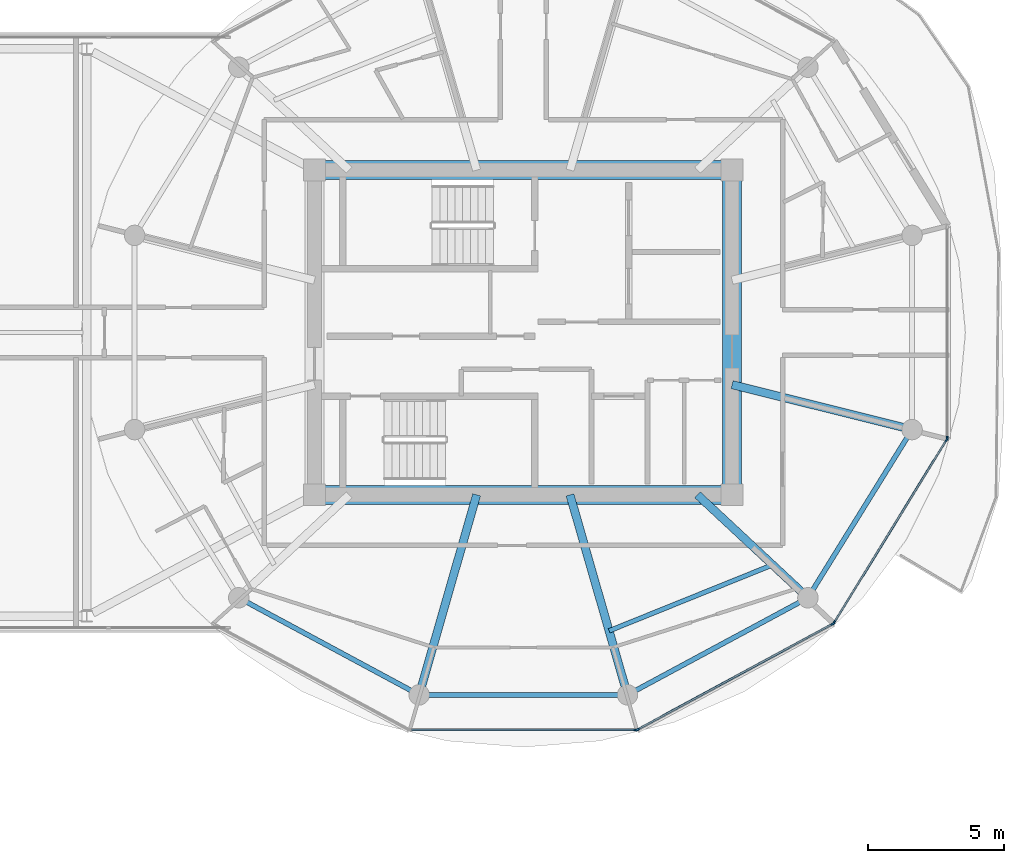
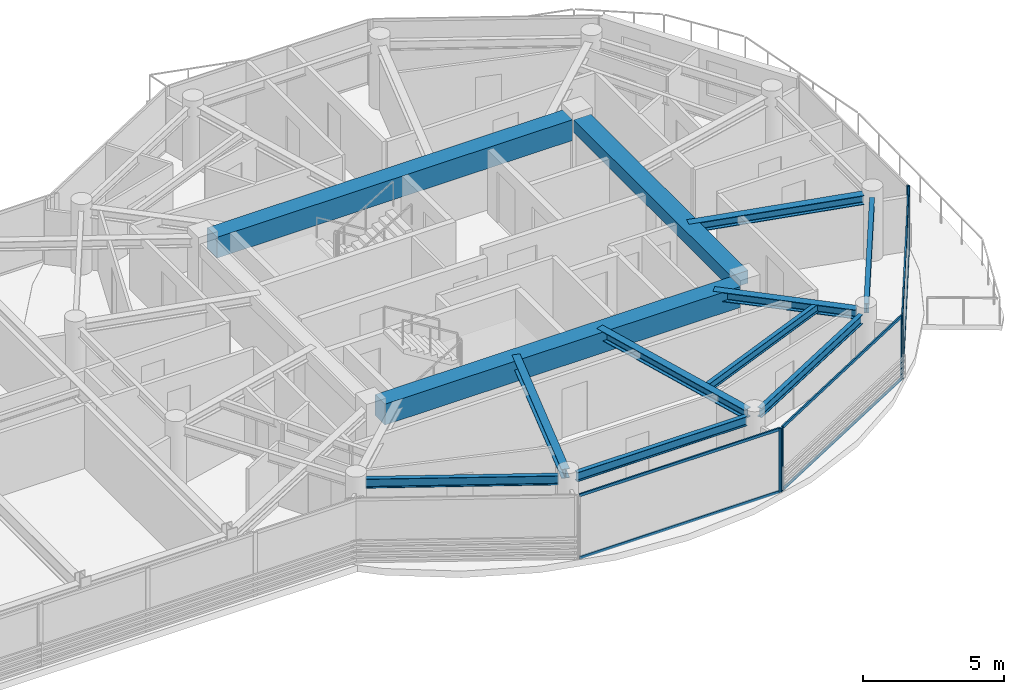
# One storey, part 9 of 24: 12 beams, 12 members, 4 elements without a shape of their own.
"""IFC4 building model written with IfcOpenShell, lengths in metres."""

from ifc_helpers import new_model, si_unit, direction, frame, origin, origin_2d, place, context, subcontext, project, spatial, rectangle, i_section, extrude, source, transform, mapped, material, layer, layer_set, material_profile, profile_set, type_object, type_shapes, element, aggregate, save


model = new_model("IFC4")

# Units and contexts
model_context = context("Model", 3, precision=1e-05, world=origin(), true_north=direction((0.0, 1.0)))
body_context = subcontext(model_context, "Body", "Model", "MODEL_VIEW")
ifc_project = project(units=[si_unit("LENGTHUNIT", "METRE"), si_unit("AREAUNIT", "SQUARE_METRE"), si_unit("VOLUMEUNIT", "CUBIC_METRE"), si_unit("PLANEANGLEUNIT", "RADIAN"), si_unit("MASSUNIT", "GRAM", prefix="KILO")], contexts=[model_context])

# Site, building, storey
site_placement = place(None, origin())
site = spatial("IfcSite", under=ifc_project, at=site_placement, CompositionType="ELEMENT")
building_placement = place(site_placement, origin())
building = spatial("IfcBuilding", under=site, at=building_placement, Name="Norrkilde Senior Care Towers", CompositionType="ELEMENT")
storey_placement = place(building_placement, frame((0.0, 0.0, 223.050048828125)))
storey = spatial("IfcBuildingStorey", under=building, at=storey_placement, Name="L69", CompositionType="ELEMENT", Elevation=223.050048828125)

# Beams
ifc_material_1 = material(Name="Concrete C60/75", Category="concrete")
ifc_material_profile_1 = material_profile(ifc_material_1, rectangle(XDim=0.699951171875, YDim=0.89990234375, at=origin_2d()), Name="RC BM 700x900")
ifc_profile_set_1 = profile_set([ifc_material_profile_1], Name="Concrete C60/75")
beam_type_1 = type_object("IfcBeamType", Name="Core Coupling Girder 700x900", PredefinedType="USERDEFINED", material=ifc_profile_set_1)
shared_shape_1 = source(origin(), body_context, "Body", "SweptSolid", [
    extrude(rectangle(XDim=0.699951171875, YDim=0.89990234375, at=origin_2d()), origin(), (0.0, 0.0, 1.0), 14.5400390625),
])
type_shapes(beam_type_1, [shared_shape_1])
for number, where, z_axis, x_axis, name in (
    (1, (20.72998046875, 5.949951171875, 2.31005859375), (1.0, 0.0, 0.0), (0.0, 1.0, 0.0), "L69 Core E N Coupling Girder"),
    (2, (20.72998046875, -5.949951171875, 2.31005859375), (1.0, 0.0, 0.0), (0.0, 1.0, 0.0), "L69 Core E S Coupling Girder"),
):
    element("IfcBeam", number, at=place(storey_placement, frame(where, z_axis=z_axis, x_axis=x_axis)), inside=storey, type_object=beam_type_1, Name=name, ObjectType="GIRDER", PredefinedType="USERDEFINED", context=body_context, shape_type="MappedRepresentation", body=[
        mapped(shared_shape_1, transform((0.0, 0.0, 0.0), x_axis=(1.0, 0.0, 0.0), y_axis=(0.0, 1.0, 0.0), z_axis=(0.0, 0.0, 1.0), scale=1.0)),
    ])
ifc_material_profile_2 = material_profile(ifc_material_1, rectangle(XDim=0.699951171875, YDim=0.550048828125, at=origin_2d()), Name="RC BM 700x550")
ifc_profile_set_2 = profile_set([ifc_material_profile_2], Name="Concrete C60/75")
beam_type_2 = type_object("IfcBeamType", Name="Core Portal Coupling Beam 700x550", PredefinedType="USERDEFINED", material=ifc_profile_set_2)
shared_shape_2 = source(origin(), body_context, "Body", "SweptSolid", [
    extrude(rectangle(XDim=0.699951171875, YDim=0.550048828125, at=origin_2d()), origin(), (0.0, 0.0, 1.0), 11.14013671875),
])
type_shapes(beam_type_2, [shared_shape_2])
beam_1_placement = place(storey_placement, frame((35.64990234375, -5.570068359375, 2.48486328125), z_axis=(0.0, 1.0, 0.0), x_axis=(-1.0, 0.0, 0.0)))
element("IfcBeam", 3, at=beam_1_placement, inside=storey, type_object=beam_type_2, Name="L69 Core E E Coupling Girder", ObjectType="GIRDER", PredefinedType="USERDEFINED", context=body_context, shape_type="MappedRepresentation", body=[
    mapped(shared_shape_2, transform((0.0, 0.0, 0.0), x_axis=(1.0, 0.0, 0.0), y_axis=(0.0, 1.0, 0.0), z_axis=(0.0, 0.0, 1.0), scale=1.0)),
])
ifc_material_2 = material(Name="Steel S355", Category="steel")
ifc_material_profile_3 = material_profile(ifc_material_2, i_section(OverallWidth=0.179931640625, OverallDepth=0.39990234375, WebThickness=0.008544921875, FlangeThickness=0.013427734375, FilletRadius=0.02099609375, at=origin_2d()), Name="IPE 400")
ifc_profile_set_3 = profile_set([ifc_material_profile_3], Name="Steel S355")
beam_type_3 = type_object("IfcBeamType", Name="Perimeter Ring Spandrel Z4 IPE400", PredefinedType="SPANDREL", material=ifc_profile_set_3)
shared_shape_3 = source(origin(), body_context, "Body", "SweptSolid", [
    extrude(i_section(OverallWidth=0.179931640625, OverallDepth=0.39990234375, WebThickness=0.008544921875, FlangeThickness=0.013427734375, FilletRadius=0.02099609375, at=origin_2d()), origin(), (0.0, 0.0, 1.0), 6.58056640625),
])
beam_2_placement = place(storey_placement, frame((38.606201171875, -9.43798828125, 2.56005859375), z_axis=(0.526529583789, 0.850156807533, 0.0), x_axis=(-0.850156807533, 0.526529583789, 0.0)))
element("IfcBeam", 4, at=beam_2_placement, inside=storey, type_object=beam_type_3, Name="L69 Drum E Perimeter Spandrel 11", PredefinedType="SPANDREL", context=body_context, shape_type="MappedRepresentation", body=[
    mapped(shared_shape_3, transform((0.0, 0.0, 0.0), x_axis=(1.0, 0.0, 0.0), y_axis=(0.0, 1.0, 0.0), z_axis=(0.0, 0.0, 1.0), scale=1.0)),
])
ifc_material_profile_4 = material_profile(ifc_material_2, i_section(OverallWidth=0.300048828125, OverallDepth=0.39990234375, WebThickness=0.013427734375, FlangeThickness=0.02392578125, FilletRadius=0.027099609375, at=origin_2d()), Name="HEB 400")
ifc_profile_set_4 = profile_set([ifc_material_profile_4], Name="Steel S355")
beam_type_4 = type_object("IfcBeamType", Name="Radial Floor Beam Z4 HEB400", PredefinedType="BEAM", material=ifc_profile_set_4)
shared_shape_4 = source(origin(), body_context, "Body", "SweptSolid", [
    extrude(i_section(OverallWidth=0.300048828125, OverallDepth=0.39990234375, WebThickness=0.013427734375, FlangeThickness=0.02392578125, FilletRadius=0.027099609375, at=origin_2d()), origin(), (0.0, 0.0, 1.0), 6.465087890625),
])
beam_3_placement = place(storey_placement, frame((35.64990234375, -1.910888671875, 2.56005859375), z_axis=(0.970195788563, -0.242322371758, 0.0), x_axis=(0.242322371758, 0.970195788563, 0.0)))
element("IfcBeam", 5, at=beam_3_placement, inside=storey, type_object=beam_type_4, Name="L69 Drum E Radial Floor Beam 12", PredefinedType="BEAM", context=body_context, shape_type="MappedRepresentation", body=[
    mapped(shared_shape_4, transform((0.0, 0.0, 0.0), x_axis=(1.0, 0.0, 0.0), y_axis=(0.0, 1.0, 0.0), z_axis=(0.0, 0.0, 1.0), scale=1.0)),
])
shared_shape_5 = source(origin(), body_context, "Body", "SweptSolid", [
    extrude(i_section(OverallWidth=0.179931640625, OverallDepth=0.39990234375, WebThickness=0.008544921875, FlangeThickness=0.013427734375, FilletRadius=0.02099609375, at=origin_2d()), origin(), (0.0, 0.0, 1.0), 6.839111328125),
])
for number, where, z_axis, x_axis, name in (
    (6, (17.865234375, -9.881591796875, 2.56005859375), (0.880563930732, -0.473927382511, 0.0), (0.473927382511, 0.880563930732, 0.0), "L69 Drum E Perimeter Spandrel 08"),
    (7, (32.112548828125, -13.122802734375, 2.56005859375), (0.880563930732, 0.473927382511, 0.0), (-0.473927382511, 0.880563930732, 0.0), "L69 Drum E Perimeter Spandrel 10"),
):
    element("IfcBeam", number, at=place(storey_placement, frame(where, z_axis=z_axis, x_axis=x_axis)), inside=storey, type_object=beam_type_3, Name=name, PredefinedType="SPANDREL", context=body_context, shape_type="MappedRepresentation", body=[
        mapped(shared_shape_5, transform((0.0, 0.0, 0.0), x_axis=(1.0, 0.0, 0.0), y_axis=(0.0, 1.0, 0.0), z_axis=(0.0, 0.0, 1.0), scale=1.0)),
    ])
shared_shape_6 = source(origin(), body_context, "Body", "SweptSolid", [
    extrude(i_section(OverallWidth=0.300048828125, OverallDepth=0.39990234375, WebThickness=0.013427734375, FlangeThickness=0.02392578125, FilletRadius=0.027099609375, at=origin_2d()), origin(), (0.0, 0.0, 1.0), 5.197998046875),
])
beam_4_placement = place(storey_placement, frame((34.3828125, -5.949951171875, 2.56005859375), z_axis=(0.731448749334, -0.681896419625, 0.0), x_axis=(0.681896419625, 0.731448749334, 0.0)))
element("IfcBeam", 8, at=beam_4_placement, inside=storey, type_object=beam_type_4, Name="L69 Drum E Radial Floor Beam 11", PredefinedType="BEAM", context=body_context, shape_type="MappedRepresentation", body=[
    mapped(shared_shape_6, transform((0.0, 0.0, 0.0), x_axis=(1.0, 0.0, 0.0), y_axis=(0.0, 1.0, 0.0), z_axis=(0.0, 0.0, 1.0), scale=1.0)),
])
shared_shape_7 = source(origin(), body_context, "Body", "SweptSolid", [
    extrude(i_section(OverallWidth=0.179931640625, OverallDepth=0.39990234375, WebThickness=0.008544921875, FlangeThickness=0.013427734375, FilletRadius=0.02099609375, at=origin_2d()), origin(), (0.0, 0.0, 1.0), 6.96533203125),
])
type_shapes(beam_type_3, [shared_shape_3, shared_shape_5, shared_shape_7])
beam_5_placement = place(storey_placement, frame((24.517333984375, -13.281494140625, 2.56005859375), z_axis=(1.0, 0.0, 0.0), x_axis=(0.0, 1.0, 0.0)))
element("IfcBeam", 9, at=beam_5_placement, inside=storey, type_object=beam_type_3, Name="L69 Drum E Perimeter Spandrel 09", PredefinedType="SPANDREL", context=body_context, shape_type="MappedRepresentation", body=[
    mapped(shared_shape_7, transform((0.0, 0.0, 0.0), x_axis=(1.0, 0.0, 0.0), y_axis=(0.0, 1.0, 0.0), z_axis=(0.0, 0.0, 1.0), scale=1.0)),
])
shared_shape_8 = source(origin(), body_context, "Body", "SweptSolid", [
    extrude(i_section(OverallWidth=0.300048828125, OverallDepth=0.39990234375, WebThickness=0.013427734375, FlangeThickness=0.02392578125, FilletRadius=0.027099609375, at=origin_2d()), origin(), (0.0, 0.0, 1.0), 7.29345703125),
])
type_shapes(beam_type_4, [shared_shape_4, shared_shape_6, shared_shape_8])
for number, where, z_axis, x_axis, name in (
    (10, (26.289794921875, -5.949951171875, 2.56005859375), (-0.276263751906, -0.961081858836, 0.0), (0.961081858836, -0.276263751906, 0.0), "L69 Drum E Radial Floor Beam 09"),
    (11, (29.710205078125, -5.949951171875, 2.56005859375), (0.276263751906, -0.961081858836, 0.0), (0.961081858836, 0.276263751906, 0.0), "L69 Drum E Radial Floor Beam 10"),
):
    element("IfcBeam", number, at=place(storey_placement, frame(where, z_axis=z_axis, x_axis=x_axis)), inside=storey, type_object=beam_type_4, Name=name, PredefinedType="BEAM", context=body_context, shape_type="MappedRepresentation", body=[
        mapped(shared_shape_8, transform((0.0, 0.0, 0.0), x_axis=(1.0, 0.0, 0.0), y_axis=(0.0, 1.0, 0.0), z_axis=(0.0, 0.0, 1.0), scale=1.0)),
    ])
ifc_material_profile_5 = material_profile(ifc_material_2, i_section(OverallWidth=0.169921875, OverallDepth=0.360107421875, WebThickness=0.008056640625, FlangeThickness=0.0126953125, FilletRadius=0.01806640625, at=origin_2d()), Name="IPE 360")
ifc_profile_set_5 = profile_set([ifc_material_profile_5], Name="Steel S355")
beam_type_5 = type_object("IfcBeamType", Name="Secondary Floor Joist IPE360", PredefinedType="JOIST", material=ifc_profile_set_5)
shared_shape_9 = source(origin(), body_context, "Body", "SweptSolid", [
    extrude(i_section(OverallWidth=0.169921875, OverallDepth=0.360107421875, WebThickness=0.008056640625, FlangeThickness=0.0126953125, FilletRadius=0.01806640625, at=origin_2d()), origin(), (0.0, 0.0, 1.0), 6.461669921875),
])
type_shapes(beam_type_5, [shared_shape_9])
beam_6_placement = place(storey_placement, frame((31.143310546875, -10.935302734375, 2.579833984375), z_axis=(0.927225942298, 0.374502405772, 0.0), x_axis=(-0.374502405772, 0.927225942298, 0.0)))
element("IfcBeam", 12, at=beam_6_placement, inside=storey, type_object=beam_type_5, Name="L69 Drum E Secondary Floor Joist 4", PredefinedType="JOIST", context=body_context, shape_type="MappedRepresentation", body=[
    mapped(shared_shape_9, transform((0.0, 0.0, 0.0), x_axis=(1.0, 0.0, 0.0), y_axis=(0.0, 1.0, 0.0), z_axis=(0.0, 0.0, 1.0), scale=1.0)),
])

# Curtain wall, members
ifc_material_3 = material(Name="Triple Low-E Insulated Glazing", Category="glass")
ifc_layer = layer(ifc_material_3, 0.18505859375)
ifc_layer_set = layer_set([ifc_layer], Name="Triple Low-E Insulated Glazing")
curtain_wall_type = type_object("IfcCurtainWallType", Name="CW6 Zone 4 Crown Pavilion Curtain Wall", PredefinedType="NOTDEFINED", material=ifc_layer_set)
curtain_wall_1_placement = place(storey_placement, origin())
curtain_wall_1 = element("IfcCurtainWall", 13, at=curtain_wall_1_placement, inside=storey, type_object=curtain_wall_type, Name="L69 Drum E Curtain Wall 10", PredefinedType="NOTDEFINED")
ifc_material_4 = material(Name="Anodised Aluminium", Category="aluminium")
ifc_material_profile_6 = material_profile(ifc_material_4, rectangle(XDim=0.06005859375, YDim=0.1201171875, at=origin_2d()), Name="ALU TRAN 60x120")
ifc_profile_set_6 = profile_set([ifc_material_profile_6], Name="Anodised Aluminium")
member_type_1 = type_object("IfcMemberType", Name="Curtain Wall Transom Typical 60x120", PredefinedType="USERDEFINED", material=ifc_profile_set_6)
shared_shape_10 = source(origin(), body_context, "Body", "SweptSolid", [
    extrude(rectangle(XDim=0.06005859375, YDim=0.1201171875, at=origin_2d()), origin(), (0.0, 0.0, 1.0), 7.808837890625),
])
member_1_placement = place(storey_placement, frame((43.498046875, -3.958251953125, 0.030029296875), z_axis=(-0.524250924101, -0.851563837055, 0.0), x_axis=(0.851563837055, -0.524250924101, 0.0)))
member_1 = element("IfcMember", 14, at=member_1_placement, type_object=member_type_1, Name="CW-6 transom 1.1", ObjectType="TRANSOM", PredefinedType="USERDEFINED", context=body_context, shape_type="MappedRepresentation", body=[
    mapped(shared_shape_10, transform((0.0, 0.0, 0.0), x_axis=(1.0, 0.0, 0.0), y_axis=(0.0, 1.0, 0.0), z_axis=(0.0, 0.0, 1.0), scale=1.0)),
])
member_2_placement = place(storey_placement, frame((43.498046875, -3.958251953125, 2.72998046875), z_axis=(-0.524250924101, -0.851563837055, 0.0), x_axis=(0.851563837055, -0.524250924101, 0.0)))
member_2 = element("IfcMember", 15, at=member_2_placement, type_object=member_type_1, Name="CW-6 transom 1.2", ObjectType="TRANSOM", PredefinedType="USERDEFINED", context=body_context, shape_type="MappedRepresentation", body=[
    mapped(shared_shape_10, transform((0.0, 0.0, 0.0), x_axis=(1.0, 0.0, 0.0), y_axis=(0.0, 1.0, 0.0), z_axis=(0.0, 0.0, 1.0), scale=1.0)),
])

curtain_wall_2_placement = place(storey_placement, origin())
curtain_wall_2 = element("IfcCurtainWall", 16, at=curtain_wall_2_placement, inside=storey, type_object=curtain_wall_type, Name="L69 Drum E Curtain Wall 08", PredefinedType="NOTDEFINED")
shared_shape_11 = source(origin(), body_context, "Body", "SweptSolid", [
    extrude(rectangle(XDim=0.06005859375, YDim=0.1201171875, at=origin_2d()), origin(), (0.0, 0.0, 1.0), 8.19384765625),
])
member_3_placement = place(storey_placement, frame((32.096923828125, -14.566162109375, 0.030029296875), z_axis=(-1.0, 0.0, 0.0), x_axis=(0.0, -1.0, 0.0)))
member_3 = element("IfcMember", 17, at=member_3_placement, type_object=member_type_1, Name="CW-6 transom 1.1", ObjectType="TRANSOM", PredefinedType="USERDEFINED", context=body_context, shape_type="MappedRepresentation", body=[
    mapped(shared_shape_11, transform((0.0, 0.0, 0.0), x_axis=(1.0, 0.0, 0.0), y_axis=(0.0, 1.0, 0.0), z_axis=(0.0, 0.0, 1.0), scale=1.0)),
])
member_4_placement = place(storey_placement, frame((32.096923828125, -14.566162109375, 2.72998046875), z_axis=(-1.0, 0.0, 0.0), x_axis=(0.0, -1.0, 0.0)))
member_4 = element("IfcMember", 18, at=member_4_placement, type_object=member_type_1, Name="CW-6 transom 1.2", ObjectType="TRANSOM", PredefinedType="USERDEFINED", context=body_context, shape_type="MappedRepresentation", body=[
    mapped(shared_shape_11, transform((0.0, 0.0, 0.0), x_axis=(1.0, 0.0, 0.0), y_axis=(0.0, 1.0, 0.0), z_axis=(0.0, 0.0, 1.0), scale=1.0)),
])

curtain_wall_3_placement = place(storey_placement, origin())
curtain_wall_3 = element("IfcCurtainWall", 19, at=curtain_wall_3_placement, inside=storey, type_object=curtain_wall_type, Name="L69 Drum E Curtain Wall 09", PredefinedType="NOTDEFINED")
shared_shape_12 = source(origin(), body_context, "Body", "SweptSolid", [
    extrude(rectangle(XDim=0.06005859375, YDim=0.1201171875, at=origin_2d()), origin(), (0.0, 0.0, 1.0), 8.0673828125),
])
type_shapes(member_type_1, [shared_shape_10, shared_shape_11, shared_shape_12])
member_5_placement = place(storey_placement, frame((39.313232421875, -10.694091796875, 0.030029296875), z_axis=(-0.87937750072, -0.476125205411, 0.0), x_axis=(0.476125205411, -0.87937750072, 0.0)))
member_5 = element("IfcMember", 20, at=member_5_placement, type_object=member_type_1, Name="CW-6 transom 1.1", ObjectType="TRANSOM", PredefinedType="USERDEFINED", context=body_context, shape_type="MappedRepresentation", body=[
    mapped(shared_shape_12, transform((0.0, 0.0, 0.0), x_axis=(1.0, 0.0, 0.0), y_axis=(0.0, 1.0, 0.0), z_axis=(0.0, 0.0, 1.0), scale=1.0)),
])
member_6_placement = place(storey_placement, frame((39.313232421875, -10.694091796875, 2.72998046875), z_axis=(-0.87937750072, -0.476125205411, 0.0), x_axis=(0.476125205411, -0.87937750072, 0.0)))
member_6 = element("IfcMember", 21, at=member_6_placement, type_object=member_type_1, Name="CW-6 transom 1.2", ObjectType="TRANSOM", PredefinedType="USERDEFINED", context=body_context, shape_type="MappedRepresentation", body=[
    mapped(shared_shape_12, transform((0.0, 0.0, 0.0), x_axis=(1.0, 0.0, 0.0), y_axis=(0.0, 1.0, 0.0), z_axis=(0.0, 0.0, 1.0), scale=1.0)),
])

# Member
ifc_material_profile_7 = material_profile(ifc_material_4, rectangle(XDim=0.06494140625, YDim=0.14990234375, at=origin_2d()), Name="ALU MULL 65x150")
ifc_profile_set_7 = profile_set([ifc_material_profile_7], Name="Anodised Aluminium")
member_type_2 = type_object("IfcMemberType", Name="Curtain Wall Mullion Z3-Z4 65x150", PredefinedType="MULLION", material=ifc_profile_set_7)
shared_shape_13 = source(origin(), body_context, "Body", "SweptSolid", [
    extrude(rectangle(XDim=0.06494140625, YDim=0.14990234375, at=origin_2d()), origin(), (0.0, 0.0, 1.0), 2.760009765625),
])
type_shapes(member_type_2, [shared_shape_13])
member_7_placement = place(storey_placement, frame((32.12939453125, -14.566162109375, 0.0), z_axis=(0.0, 0.0, 1.0), x_axis=(0.0, -1.0, 0.0)))
member_7 = element("IfcMember", 22, at=member_7_placement, type_object=member_type_2, Name="CW-6 mullion 1", PredefinedType="MULLION", context=body_context, shape_type="MappedRepresentation", body=[
    mapped(shared_shape_13, transform((0.0, 0.0, 0.0), x_axis=(1.0, 0.0, 0.0), y_axis=(0.0, 1.0, 0.0), z_axis=(0.0, 0.0, 1.0), scale=1.0)),
])

aggregate(curtain_wall_2, [member_7, member_3, member_4])

member_8_placement = place(storey_placement, frame((39.341796875, -10.6787109375, 0.0), z_axis=(0.0, 0.0, 1.0), x_axis=(0.476132676136, -0.879373455772, 0.0)))
member_8 = element("IfcMember", 23, at=member_8_placement, type_object=member_type_2, Name="CW-6 mullion 1", PredefinedType="MULLION", context=body_context, shape_type="MappedRepresentation", body=[
    mapped(shared_shape_13, transform((0.0, 0.0, 0.0), x_axis=(1.0, 0.0, 0.0), y_axis=(0.0, 1.0, 0.0), z_axis=(0.0, 0.0, 1.0), scale=1.0)),
])

member_9_placement = place(storey_placement, frame((32.1904296875, -14.55078125, 0.0), z_axis=(0.0, 0.0, 1.0), x_axis=(0.476132676136, -0.879373455772, 0.0)))
member_9 = element("IfcMember", 24, at=member_9_placement, type_object=member_type_2, Name="CW-6 mullion 2", PredefinedType="MULLION", context=body_context, shape_type="MappedRepresentation", body=[
    mapped(shared_shape_13, transform((0.0, 0.0, 0.0), x_axis=(1.0, 0.0, 0.0), y_axis=(0.0, 1.0, 0.0), z_axis=(0.0, 0.0, 1.0), scale=1.0)),
])

aggregate(curtain_wall_3, [member_8, member_9, member_5, member_6])

member_10_placement = place(storey_placement, frame((43.51513671875, -3.9306640625, 0.0), z_axis=(0.0, 0.0, 1.0), x_axis=(0.851562727283, -0.524252726748, 0.0)))
member_10 = element("IfcMember", 25, at=member_10_placement, type_object=member_type_2, Name="CW-6 mullion 1", PredefinedType="MULLION", context=body_context, shape_type="MappedRepresentation", body=[
    mapped(shared_shape_13, transform((0.0, 0.0, 0.0), x_axis=(1.0, 0.0, 0.0), y_axis=(0.0, 1.0, 0.0), z_axis=(0.0, 0.0, 1.0), scale=1.0)),
])

member_11_placement = place(storey_placement, frame((39.38720703125, -10.635498046875, 0.0), z_axis=(0.0, 0.0, 1.0), x_axis=(0.851562727283, -0.524252726748, 0.0)))
member_11 = element("IfcMember", 26, at=member_11_placement, type_object=member_type_2, Name="CW-6 mullion 2", PredefinedType="MULLION", context=body_context, shape_type="MappedRepresentation", body=[
    mapped(shared_shape_13, transform((0.0, 0.0, 0.0), x_axis=(1.0, 0.0, 0.0), y_axis=(0.0, 1.0, 0.0), z_axis=(0.0, 0.0, 1.0), scale=1.0)),
])

aggregate(curtain_wall_1, [member_10, member_11, member_1, member_2])

# Curtain wall, member
curtain_wall_4_placement = place(storey_placement, origin())
curtain_wall_4 = element("IfcCurtainWall", 27, at=curtain_wall_4_placement, inside=storey, type_object=curtain_wall_type, Name="L69 Drum E Curtain Wall 11", PredefinedType="NOTDEFINED")
member_12_placement = place(storey_placement, frame((43.531982421875, -3.87060546875, 0.0), z_axis=(0.0, 0.0, 1.0), x_axis=(1.0, 0.0, 0.0)))
member_12 = element("IfcMember", 28, at=member_12_placement, type_object=member_type_2, Name="CW-6 mullion 2", PredefinedType="MULLION", context=body_context, shape_type="MappedRepresentation", body=[
    mapped(shared_shape_13, transform((0.0, 0.0, 0.0), x_axis=(1.0, 0.0, 0.0), y_axis=(0.0, 1.0, 0.0), z_axis=(0.0, 0.0, 1.0), scale=1.0)),
])
aggregate(curtain_wall_4, [member_12])

save(model, "model.ifc")
